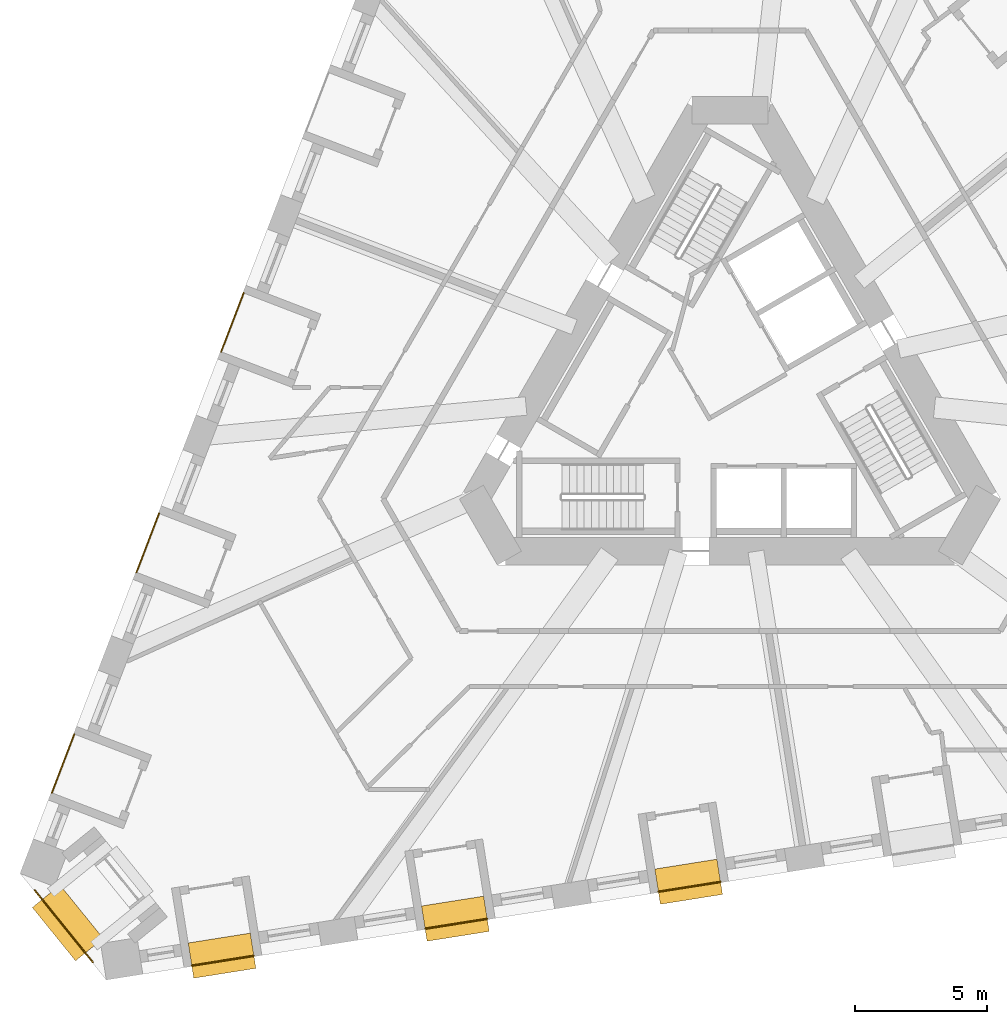
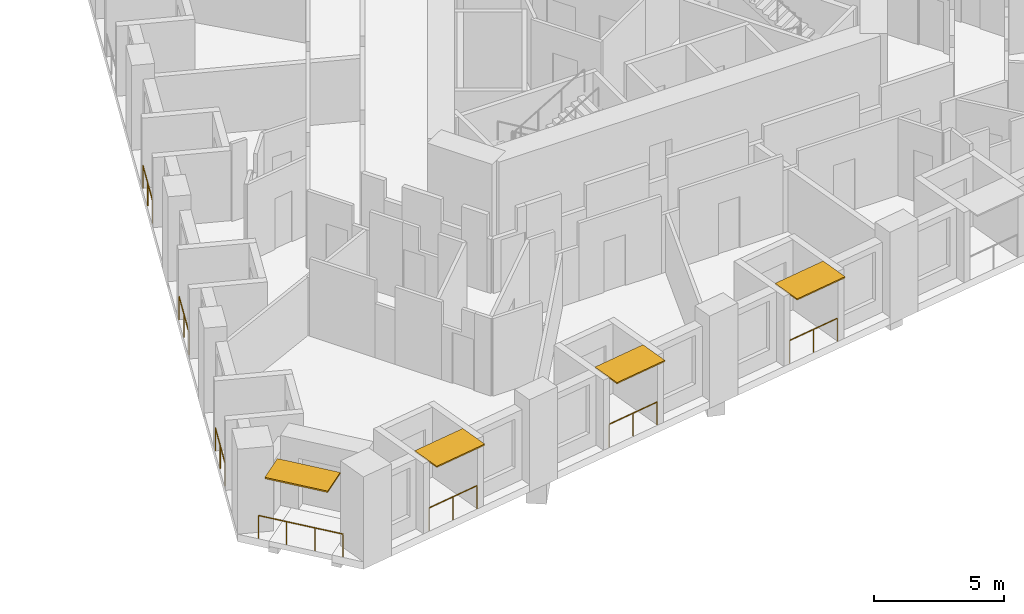
# One storey, part 10 of 13: 7 railings, 4 shading devices.
"""IFC4 building model written with IfcOpenShell, lengths in metres."""

from ifc_helpers import new_model, si_unit, direction, frame, origin, origin_2d, place, context, subcontext, project, spatial, rectangle, circle, extrude, material, layer, layer_set, type_object, element, save


model = new_model("IFC4")

# Units and contexts
model_context = context("Model", 3, precision=1e-05, world=origin(), true_north=direction((0.0, 1.0)))
body_context = subcontext(model_context, "Body", "Model", "MODEL_VIEW")
ifc_project = project(units=[si_unit("LENGTHUNIT", "METRE"), si_unit("AREAUNIT", "SQUARE_METRE"), si_unit("VOLUMEUNIT", "CUBIC_METRE"), si_unit("PLANEANGLEUNIT", "RADIAN"), si_unit("MASSUNIT", "GRAM", prefix="KILO")], contexts=[model_context])

# Site, building, storey
site_placement = place(None, origin())
site = spatial("IfcSite", under=ifc_project, at=site_placement, CompositionType="ELEMENT")
building_placement = place(site_placement, origin())
building = spatial("IfcBuilding", under=site, at=building_placement, Name="Tramontana Tower", CompositionType="ELEMENT")
storey_placement = place(building_placement, frame((0.0, 0.0, 51.199951171875)))
storey = spatial("IfcBuildingStorey", under=building, at=storey_placement, Name="L10", CompositionType="ELEMENT", Elevation=51.199951171875)

# Railings
ifc_material_1 = material(Name="Laminated glass balustrade", Category="glass")
railing_type = type_object("IfcRailingType", Name="GD1 Loggia glass balustrade 1100", PredefinedType="BALUSTRADE", material=ifc_material_1)
for number, where, name in (
    (1, (-18.419677734375, 3.55419921875, 0.0), "Loggia balustrade L10 G1S0.10"),
    (2, (-21.626708984375, -4.80029296875, 0.0), "Loggia balustrade L10 G1S0.13"),
):
    element("IfcRailing", number, at=place(storey_placement, frame(where)), inside=storey, type_object=railing_type, Name=name, PredefinedType="BALUSTRADE", context=body_context, shape_type="SweptSolid", body=[
        extrude(circle(Radius=0.02392578125, at=origin_2d()), frame((0.0, 0.0, 1.076171875), z_axis=(-0.358354292693, -0.933585668757, 0.0), x_axis=(0.933585668757, -0.358354292693, 0.0)), (0.0, 0.0, 1.0), 2.383056640625),
        extrude(circle(Radius=0.02099609375, at=origin_2d()), origin(), (0.0, 0.0, 1.0), 1.052001953125),
        extrude(circle(Radius=0.02099609375, at=origin_2d()), frame((-0.427001953125, -1.1123046875, 0.0)), (0.0, 0.0, 1.0), 1.052001953125),
        extrude(circle(Radius=0.02099609375, at=origin_2d()), frame((-0.85400390625, -2.224853515625, 0.0)), (0.0, 0.0, 1.0), 1.052001953125),
    ])
railing_1_placement = place(storey_placement, frame((-24.833740234375, -13.155029296875, 0.0)))
element("IfcRailing", 3, at=railing_1_placement, inside=storey, type_object=railing_type, Name="Loggia balustrade L10 G1S0.16", PredefinedType="BALUSTRADE", context=body_context, shape_type="SweptSolid", body=[
    extrude(circle(Radius=0.02392578125, at=origin_2d()), frame((0.0, 0.0, 1.076171875), z_axis=(-0.35838856932, -0.933572511046, 0.0), x_axis=(0.933572511046, -0.35838856932, 0.0)), (0.0, 0.0, 1.0), 2.3828125),
    extrude(circle(Radius=0.02099609375, at=origin_2d()), origin(), (0.0, 0.0, 1.0), 1.052001953125),
    extrude(circle(Radius=0.02099609375, at=origin_2d()), frame((-0.427001953125, -1.1123046875, 0.0)), (0.0, 0.0, 1.0), 1.052001953125),
    extrude(circle(Radius=0.02099609375, at=origin_2d()), frame((-0.85400390625, -2.224609375, 0.0)), (0.0, 0.0, 1.0), 1.052001953125),
])
railing_2_placement = place(storey_placement, frame((-20.38427734375, -21.9287109375, 0.0)))
element("IfcRailing", 4, at=railing_2_placement, inside=storey, type_object=railing_type, Name="Loggia balustrade L10 G1S1.1", PredefinedType="BALUSTRADE", context=body_context, shape_type="SweptSolid", body=[
    extrude(circle(Radius=0.02392578125, at=origin_2d()), frame((0.0, 0.0, 1.076171875), z_axis=(0.987685586014, 0.156451855793, 0.0), x_axis=(-0.156451855793, 0.987685586014, 0.0)), (0.0, 0.0, 1.0), 2.3828125),
    extrude(circle(Radius=0.02099609375, at=origin_2d()), origin(), (0.0, 0.0, 1.0), 1.052001953125),
    extrude(circle(Radius=0.02099609375, at=origin_2d()), frame((1.1767578125, 0.1865234375, 0.0)), (0.0, 0.0, 1.0), 1.052001953125),
    extrude(circle(Radius=0.02099609375, at=origin_2d()), frame((2.353515625, 0.372802734375, 0.0)), (0.0, 0.0, 1.0), 1.052001953125),
])
railing_3_placement = place(storey_placement, frame((-11.545654296875, -20.52880859375, 0.0)))
element("IfcRailing", 5, at=railing_3_placement, inside=storey, type_object=railing_type, Name="Loggia balustrade L10 G1S1.4", PredefinedType="BALUSTRADE", context=body_context, shape_type="SweptSolid", body=[
    extrude(circle(Radius=0.02392578125, at=origin_2d()), frame((0.0, 0.0, 1.076171875), z_axis=(0.987688093492, 0.15643602518, 0.0), x_axis=(-0.15643602518, 0.987688093492, 0.0)), (0.0, 0.0, 1.0), 2.383056640625),
    extrude(circle(Radius=0.02099609375, at=origin_2d()), origin(), (0.0, 0.0, 1.0), 1.052001953125),
    extrude(circle(Radius=0.02099609375, at=origin_2d()), frame((1.1767578125, 0.1865234375, 0.0)), (0.0, 0.0, 1.0), 1.052001953125),
    extrude(circle(Radius=0.02099609375, at=origin_2d()), frame((2.353759765625, 0.372802734375, 0.0)), (0.0, 0.0, 1.0), 1.052001953125),
])
railing_4_placement = place(storey_placement, frame((-2.706787109375, -19.12890625, 0.0)))
element("IfcRailing", 6, at=railing_4_placement, inside=storey, type_object=railing_type, Name="Loggia balustrade L10 G1S1.7", PredefinedType="BALUSTRADE", context=body_context, shape_type="SweptSolid", body=[
    extrude(circle(Radius=0.02392578125, at=origin_2d()), frame((0.0, 0.0, 1.076171875), z_axis=(0.987685586014, 0.156451855793, 0.0), x_axis=(-0.156451855793, 0.987685586014, 0.0)), (0.0, 0.0, 1.0), 2.3828125),
    extrude(circle(Radius=0.02099609375, at=origin_2d()), origin(), (0.0, 0.0, 1.0), 1.052001953125),
    extrude(circle(Radius=0.02099609375, at=origin_2d()), frame((1.1767578125, 0.1865234375, 0.0)), (0.0, 0.0, 1.0), 1.052001953125),
    extrude(circle(Radius=0.02099609375, at=origin_2d()), frame((2.353515625, 0.372802734375, 0.0)), (0.0, 0.0, 1.0), 1.052001953125),
])
railing_5_placement = place(storey_placement, frame((-24.132568359375, -21.7939453125, 0.0)))
element("IfcRailing", 7, at=railing_5_placement, inside=storey, type_object=railing_type, Name="Corner loggia balustrade L10 K11", PredefinedType="BALUSTRADE", context=body_context, shape_type="SweptSolid", body=[
    extrude(circle(Radius=0.02392578125, at=origin_2d()), frame((0.0, 0.0, 1.076171875), z_axis=(-0.629328651904, 0.777139271876, 0.0), x_axis=(-0.777139271876, -0.629328651904, 0.0)), (0.0, 0.0, 1.0), 3.5),
    extrude(circle(Radius=0.02099609375, at=origin_2d()), origin(), (0.0, 0.0, 1.0), 1.052001953125),
    extrude(circle(Radius=0.02099609375, at=origin_2d()), frame((-0.734130859375, 0.90673828125, 0.0)), (0.0, 0.0, 1.0), 1.052001953125),
    extrude(circle(Radius=0.02099609375, at=origin_2d()), frame((-1.468505859375, 1.813232421875, 0.0)), (0.0, 0.0, 1.0), 1.052001953125),
    extrude(circle(Radius=0.02099609375, at=origin_2d()), frame((-2.20263671875, 2.719970703125, 0.0)), (0.0, 0.0, 1.0), 1.052001953125),
])

# Shading devices
ifc_material_2 = material(Name="Precast concrete 60 MPa", Category="concrete")
ifc_layer_1 = layer(ifc_material_2, 0.06005859375)
ifc_layer_set_1 = layer_set([ifc_layer_1], Name="SS1 Stone sunshade blade 60")
shading_device_type_1 = type_object("IfcShadingDeviceType", Name="SS1 Stone sunshade blade 60", PredefinedType="USERDEFINED", material=ifc_layer_set_1)
for number, where, z_axis, x_axis, name in (
    (8, (-19.238037109375, -21.5498046875, 3.239990234375), (0.0, 0.0, 1.0), (0.987688340595, 0.15643446504, 0.0), "Sunshade L10 G1S1.1"),
    (9, (-10.399169921875, -20.14990234375, 3.239990234375), (0.0, 0.0, 1.0), (0.987688340595, 0.15643446504, 0.0), "Sunshade L10 G1S1.4"),
    (10, (-1.560546875, -18.75, 3.239990234375), (0.0, 0.0, 1.0), (0.987688340595, 0.15643446504, 0.0), "Sunshade L10 G1S1.7"),
):
    element("IfcShadingDevice", number, at=place(storey_placement, frame(where, z_axis=z_axis, x_axis=x_axis)), inside=storey, type_object=shading_device_type_1, Name=name, ObjectType="SUNSHADE", PredefinedType="USERDEFINED", context=body_context, shape_type="SweptSolid", body=[
        extrude(rectangle(XDim=2.383056640625, YDim=1.35009765625, at=origin_2d()), origin(), (0.0, 0.0, 1.0), 0.06005859375),
    ])
ifc_material_3 = material(Name="Precast concrete 60 MPa", Category="concrete")
ifc_layer_2 = layer(ifc_material_3, 0.070068359375)
ifc_layer_set_2 = layer_set([ifc_layer_2], Name="SS2 Stone sunshade blade 70")
shading_device_type_2 = type_object("IfcShadingDeviceType", Name="SS2 Stone sunshade blade 70", PredefinedType="USERDEFINED", material=ifc_layer_set_2)
shading_device_placement = place(storey_placement, frame((-25.082275390625, -20.311279296875, 3.22998046875), z_axis=(0.0, 0.0, 1.0), x_axis=(-0.62932039105, 0.777145961457, 0.0)))
element("IfcShadingDevice", 11, at=shading_device_placement, inside=storey, type_object=shading_device_type_2, Name="Corner sunshade L10 K11", ObjectType="SUNSHADE", PredefinedType="USERDEFINED", context=body_context, shape_type="SweptSolid", body=[
    extrude(rectangle(XDim=2.60009765625, YDim=1.35009765625, at=origin_2d()), origin(), (0.0, 0.0, 1.0), 0.070068359375),
])

save(model, "model.ifc")
